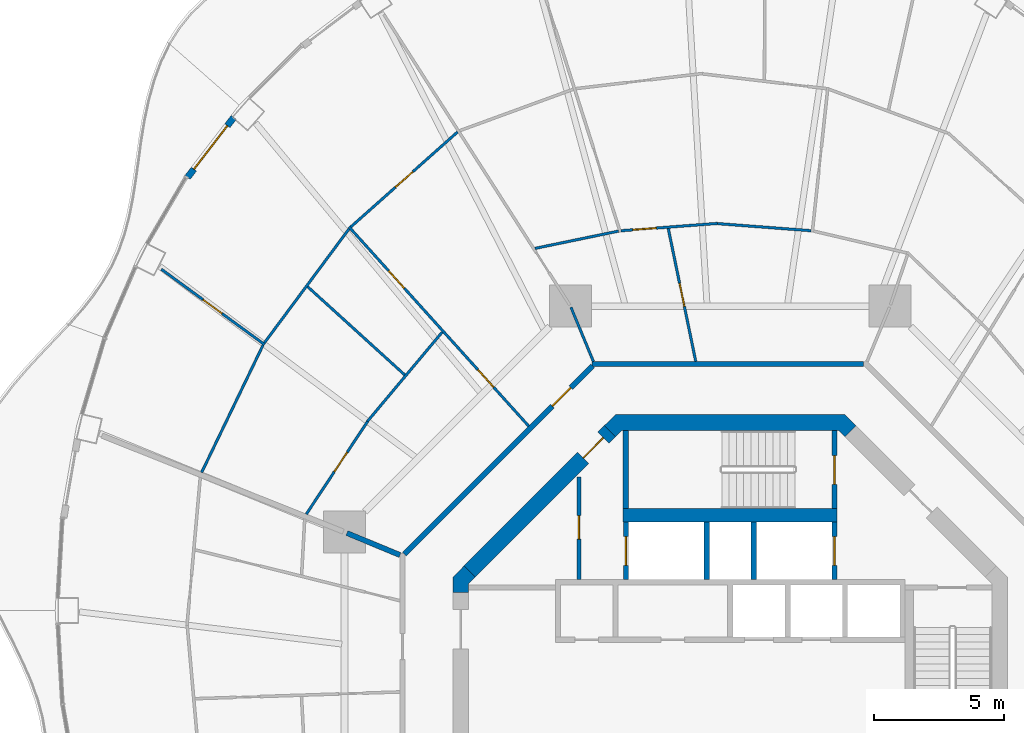
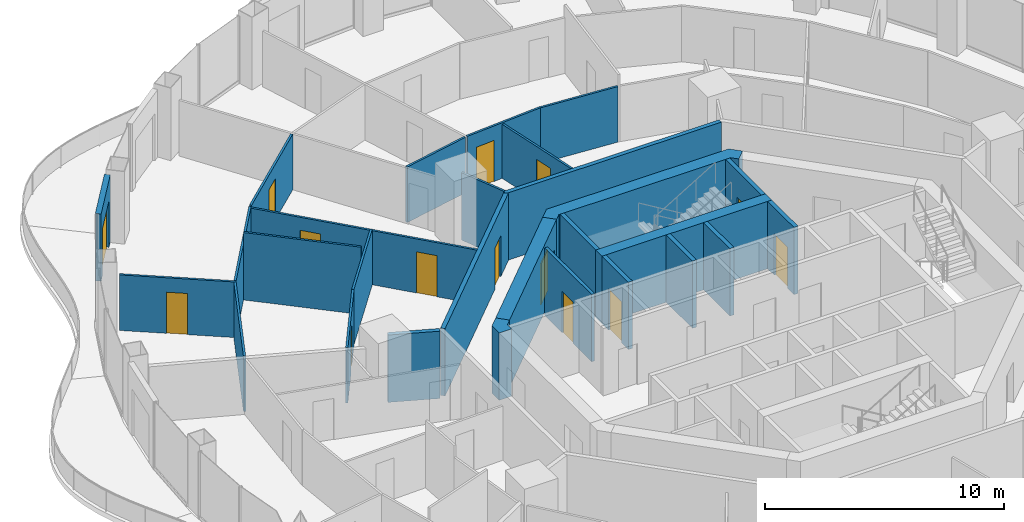
# One storey, part 13 of 18: 28 walls, 14 doors, 14 openings.
"""IFC4 building model written with IfcOpenShell, lengths in metres."""

from ifc_helpers import new_model, si_unit, direction, frame, frame_2d, origin, place, context, subcontext, project, spatial, polyline, rectangle, outline, extrude, material, layer, layer_set, type_object, element, fill, save


model = new_model("IFC4")

# Units and contexts
model_context = context("Model", 3, precision=1e-05, world=origin(), true_north=direction((0.0, 1.0)))
body_context = subcontext(model_context, "Body", "Model", "MODEL_VIEW")
ifc_project = project(units=[si_unit("LENGTHUNIT", "METRE"), si_unit("AREAUNIT", "SQUARE_METRE"), si_unit("VOLUMEUNIT", "CUBIC_METRE"), si_unit("PLANEANGLEUNIT", "RADIAN"), si_unit("MASSUNIT", "GRAM", prefix="KILO")], contexts=[model_context])

# Site, building, storey
site_placement = place(None, origin())
site = spatial("IfcSite", under=ifc_project, at=site_placement, CompositionType="ELEMENT")
building_placement = place(site_placement, origin())
building = spatial("IfcBuilding", under=site, at=building_placement, Name="Nagisa Residences", CompositionType="ELEMENT")
storey_placement = place(building_placement, frame((0.0, 0.0, 212.199951171875)))
storey = spatial("IfcBuildingStorey", under=building, at=storey_placement, Name="L53", CompositionType="ELEMENT", Elevation=212.199951171875)

# Walls
ifc_material_1 = material(Name="Gypsum board on steel studs", Category="steel")
ifc_layer_1 = layer(ifc_material_1, 0.199951171875)
ifc_layer_set_1 = layer_set([ifc_layer_1], Name="Apartment compartment wall EI60 200")
wall_type_1 = type_object("IfcWallType", Name="Apartment compartment wall EI60 200", PredefinedType="PARTITIONING", material=ifc_layer_set_1)
wall_1_placement = place(storey_placement, frame((-12.6572265625, 5.24267578125, 0.0), z_axis=(0.0, 0.0, 1.0), x_axis=(-0.923859888513, 0.38273085373, 0.0)))
element("IfcWall", 1, at=wall_1_placement, inside=storey, type_object=wall_type_1, Name="wall:L53:u02", PredefinedType="PARTITIONING", context=body_context, shape_type="SweptSolid", body=[
    extrude(rectangle(XDim=2.199462890625, YDim=0.199951171875, at=frame_2d((1.099609375, 0.0))), origin(), (0.0, 0.0, 1.0), 3.43994140625),
])
ifc_material_2 = material(Name="Gypsum board on steel studs", Category="steel")
ifc_layer_2 = layer(ifc_material_2, 0.199951171875)
ifc_layer_set_2 = layer_set([ifc_layer_2], Name="Apartment entry wall EI60 200")
wall_type_2 = type_object("IfcWallType", Name="Apartment entry wall EI60 200", PredefinedType="PARTITIONING", material=ifc_layer_set_2)
wall_2_placement = place(storey_placement, frame((5.1044921875, 12.564697265625, 0.0), z_axis=(0.0, 0.0, 1.0), x_axis=(-1.0, 0.0, 0.0)))
element("IfcWall", 2, at=wall_2_placement, inside=storey, type_object=wall_type_2, Name="wall:L53:u10", PredefinedType="PARTITIONING", context=body_context, shape_type="SweptSolid", body=[
    extrude(rectangle(XDim=10.408935546875, YDim=0.199951171875, at=frame_2d((5.20458984375, 0.0))), origin(), (0.0, 0.0, 1.0), 3.43994140625),
])

# Wall, opening, door
wall_3_placement = place(storey_placement, frame((-5.275146484375, 12.494140625, 0.0), z_axis=(0.0, 0.0, 1.0), x_axis=(-0.707106781187, -0.707106781187, 0.0)))
wall_3 = element("IfcWall", 3, at=wall_3_placement, inside=storey, type_object=wall_type_2, Name="wall:L53:u11", PredefinedType="PARTITIONING", context=body_context, shape_type="SweptSolid", body=[
    extrude(rectangle(XDim=10.209228515625, YDim=0.199951171875, at=frame_2d((5.1044921875, 0.0))), origin(), (0.0, 0.0, 1.0), 3.43994140625),
])
opening_1_placement = place(wall_3_placement, frame((1.184814453125, 0.0, 0.0)))
opening_1 = element("IfcOpeningElement", 4, at=opening_1_placement, cuts=wall_3, Name="Opening L53-U01", PredefinedType="OPENING", context=body_context, shape_type="SweptSolid", body=[
    extrude(rectangle(XDim=1.0, YDim=2.10009765625, at=frame_2d((0.5, 1.050048828125))), frame((0.0, 0.10986328125, 0.0), z_axis=(0.0, -1.0, 0.0), x_axis=(1.0, 0.0, 0.0)), (0.0, 0.0, 1.0), 0.219970703125),
])
ifc_material_3 = material(Name="Timber fire door set", Category="wood")
door_type_1 = type_object("IfcDoorType", Name="Apartment entry door FD30S 1000x2100", OperationType="NOTDEFINED", PredefinedType="DOOR", material=ifc_material_3)
door_1_placement = place(opening_1_placement, frame((1.0, 0.0, 0.0), x_axis=(-1.0, 0.0, 0.0)))
door_1 = element("IfcDoor", 5, at=door_1_placement, inside=storey, type_object=door_type_1, Name="Entry door, Apartment 53A", OperationType="SINGLE_SWING_RIGHT", OverallHeight=2.10009765625, OverallWidth=1.0, PredefinedType="DOOR", context=body_context, shape_type="SweptSolid", body=[
    extrude(rectangle(XDim=1.0, YDim=2.10009765625, at=frame_2d((0.5, 1.050048828125))), frame((0.0, 0.02490234375, 0.0), z_axis=(0.0, -1.0, 0.0), x_axis=(1.0, 0.0, 0.0)), (0.0, 0.0, 1.0), 0.050048828125),
])
fill(opening_1, door_1)

# Wall
ifc_material_4 = material(Name="Gypsum board on steel studs", Category="steel")
ifc_layer_3 = layer(ifc_material_4, 0.10009765625)
ifc_layer_set_3 = layer_set([ifc_layer_3], Name="Apartment partition 100")
wall_type_3 = type_object("IfcWallType", Name="Apartment partition 100", PredefinedType="PARTITIONING", material=ifc_layer_set_3)
wall_4_placement = place(storey_placement, frame((3.1005859375, 17.67138671875, 0.0), z_axis=(0.0, 0.0, 1.0), x_axis=(-0.997133705575, 0.075659587668, 0.0)))
element("IfcWall", 6, at=wall_4_placement, inside=storey, type_object=wall_type_3, Name="wall:L53:u35", PredefinedType="PARTITIONING", context=body_context, shape_type="SweptSolid", body=[
    extrude(rectangle(XDim=3.60107421875, YDim=0.10009765625, at=frame_2d((1.800537109375, 0.0))), origin(), (0.0, 0.0, 1.0), 2.837158203125),
])

# Wall, opening, door
wall_5_placement = place(storey_placement, frame((-0.490234375, 17.951416015625, 0.0), z_axis=(0.0, 0.0, 1.0), x_axis=(-0.997133495787, -0.075662352452, 0.0)))
wall_5 = element("IfcWall", 7, at=wall_5_placement, inside=storey, type_object=wall_type_3, Name="wall:L53:u38", PredefinedType="PARTITIONING", context=body_context, shape_type="SweptSolid", body=[
    extrude(rectangle(XDim=3.700927734375, YDim=0.10009765625, at=frame_2d((1.8505859375, 0.0))), origin(), (0.0, 0.0, 1.0), 2.837158203125),
])
opening_2_placement = place(wall_5_placement, frame((2.350830078125, 0.0, 0.0)))
opening_2 = element("IfcOpeningElement", 8, at=opening_2_placement, cuts=wall_5, Name="Opening L53-U04", PredefinedType="OPENING", context=body_context, shape_type="SweptSolid", body=[
    extrude(rectangle(XDim=0.89990234375, YDim=2.10009765625, at=frame_2d((0.449951171875, 1.050048828125))), frame((0.0, 0.06005859375, 0.0), z_axis=(0.0, -1.0, 0.0), x_axis=(1.0, 0.0, 0.0)), (0.0, 0.0, 1.0), 0.1201171875),
])
ifc_material_5 = material(Name="Timber door set", Category="wood")
door_type_2 = type_object("IfcDoorType", Name="Apartment door 900x2100", OperationType="NOTDEFINED", PredefinedType="DOOR", material=ifc_material_5)
door_2_placement = place(opening_2_placement, frame((0.89990234375, 0.0, 0.0), x_axis=(-1.0, 0.0, 0.0)))
door_2 = element("IfcDoor", 9, at=door_2_placement, inside=storey, type_object=door_type_2, Name="Door to family room, Apartment 53A", OperationType="SINGLE_SWING_LEFT", OverallHeight=2.10009765625, OverallWidth=0.89990234375, PredefinedType="DOOR", context=body_context, shape_type="SweptSolid", body=[
    extrude(rectangle(XDim=0.89990234375, YDim=2.10009765625, at=frame_2d((0.449951171875, 1.050048828125))), frame((0.0, 0.02490234375, 0.0), z_axis=(0.0, -1.0, 0.0), x_axis=(1.0, 0.0, 0.0)), (0.0, 0.0, 1.0), 0.050048828125),
])
fill(opening_2, door_2)

wall_6_placement = place(storey_placement, frame((-1.3212890625, 12.66259765625, 0.0), z_axis=(0.0, 0.0, 1.0), x_axis=(-0.202526486639, 0.979276785291, 0.0)))
wall_6 = element("IfcWall", 10, at=wall_6_placement, inside=storey, type_object=wall_type_3, Name="wall:L53:u40", PredefinedType="PARTITIONING", context=body_context, shape_type="SweptSolid", body=[
    extrude(rectangle(XDim=5.2041015625, YDim=0.10009765625, at=frame_2d((2.60205078125, 0.0))), origin(), (0.0, 0.0, 1.0), 2.761962890625),
])
opening_3_placement = place(wall_6_placement, frame((2.15185546875, 0.0, 0.0)))
opening_3 = element("IfcOpeningElement", 11, at=opening_3_placement, cuts=wall_6, Name="Opening L53-U13", PredefinedType="OPENING", context=body_context, shape_type="SweptSolid", body=[
    extrude(rectangle(XDim=0.89990234375, YDim=2.10009765625, at=frame_2d((0.449951171875, 1.050048828125))), frame((0.0, 0.06005859375, 0.0), z_axis=(0.0, -1.0, 0.0), x_axis=(1.0, 0.0, 0.0)), (0.0, 0.0, 1.0), 0.1201171875),
])
door_3_placement = place(opening_3_placement, frame((0.89990234375, 0.0, 0.0), x_axis=(-1.0, 0.0, 0.0)))
door_3 = element("IfcDoor", 12, at=door_3_placement, inside=storey, type_object=door_type_2, Name="Door to store, Apartment 53A", OperationType="SINGLE_SWING_RIGHT", OverallHeight=2.10009765625, OverallWidth=0.89990234375, PredefinedType="DOOR", context=body_context, shape_type="SweptSolid", body=[
    extrude(rectangle(XDim=0.89990234375, YDim=2.10009765625, at=frame_2d((0.449951171875, 1.050048828125))), frame((0.0, 0.02490234375, 0.0), z_axis=(0.0, -1.0, 0.0), x_axis=(1.0, 0.0, 0.0)), (0.0, 0.0, 1.0), 0.050048828125),
])
fill(opening_3, door_3)

# Walls
wall_7_placement = place(storey_placement, frame((-4.279541015625, 17.657470703125, 0.0), z_axis=(0.0, 0.0, 1.0), x_axis=(-0.979205232861, -0.202872156637, 0.0)))
element("IfcWall", 13, at=wall_7_placement, inside=storey, type_object=wall_type_3, Name="wall:L53:u42", PredefinedType="PARTITIONING", context=body_context, shape_type="SweptSolid", body=[
    extrude(rectangle(XDim=3.27099609375, YDim=0.10009765625, at=frame_2d((1.635498046875, 0.0))), origin(), (0.0, 0.0, 1.0), 2.837158203125),
])
wall_8_placement = place(storey_placement, frame((-5.24267578125, 12.6572265625, 0.0), z_axis=(0.0, 0.0, 1.0), x_axis=(-0.382757529444, 0.923848837015, 0.0)))
element("IfcWall", 14, at=wall_8_placement, inside=storey, type_object=wall_type_3, Name="wall:L53:u44", PredefinedType="PARTITIONING", context=body_context, shape_type="SweptSolid", body=[
    extrude(rectangle(XDim=2.249755859375, YDim=0.10009765625, at=frame_2d((1.125, 0.0))), origin(), (0.0, 0.0, 1.0), 3.43994140625),
])

# Wall, opening, door
wall_9_placement = place(storey_placement, frame((-10.450439453125, 21.455322265625, 0.0), z_axis=(0.0, 0.0, 1.0), x_axis=(-0.747150931973, -0.66465441009, 0.0)))
wall_9 = element("IfcWall", 15, at=wall_9_placement, inside=storey, type_object=wall_type_3, Name="wall:L53:u46", PredefinedType="PARTITIONING", context=body_context, shape_type="SweptSolid", body=[
    extrude(rectangle(XDim=5.474853515625, YDim=0.10009765625, at=frame_2d((2.7373046875, 0.0))), origin(), (0.0, 0.0, 1.0), 2.837158203125),
])
opening_4_placement = place(wall_9_placement, frame((2.28759765625, 0.0, 0.0)))
opening_4 = element("IfcOpeningElement", 16, at=opening_4_placement, cuts=wall_9, Name="Opening L53-U11", PredefinedType="OPENING", context=body_context, shape_type="SweptSolid", body=[
    extrude(rectangle(XDim=0.89990234375, YDim=2.10009765625, at=frame_2d((0.449951171875, 1.050048828125))), frame((0.0, 0.06005859375, 0.0), z_axis=(0.0, -1.0, 0.0), x_axis=(1.0, 0.0, 0.0)), (0.0, 0.0, 1.0), 0.1201171875),
])
door_4_placement = place(opening_4_placement, frame((0.89990234375, 0.0, 0.0), x_axis=(-1.0, 0.0, 0.0)))
door_4 = element("IfcDoor", 17, at=door_4_placement, inside=storey, type_object=door_type_2, Name="Door to living room, Apartment 53A", OperationType="SINGLE_SWING_RIGHT", OverallHeight=2.10009765625, OverallWidth=0.89990234375, PredefinedType="DOOR", context=body_context, shape_type="SweptSolid", body=[
    extrude(rectangle(XDim=0.89990234375, YDim=2.10009765625, at=frame_2d((0.449951171875, 1.050048828125))), frame((0.0, 0.02490234375, 0.0), z_axis=(0.0, -1.0, 0.0), x_axis=(1.0, 0.0, 0.0)), (0.0, 0.0, 1.0), 0.050048828125),
])
fill(opening_4, door_4)

# Wall, openings, doors
wall_10_placement = place(storey_placement, frame((-7.724853515625, 10.185546875, 0.0), z_axis=(0.0, 0.0, 1.0), x_axis=(-0.669819599194, 0.742523874725, 0.0)))
wall_10 = element("IfcWall", 18, at=wall_10_placement, inside=storey, type_object=wall_type_3, Name="wall:L53:u47", PredefinedType="PARTITIONING", context=body_context, shape_type="SweptSolid", body=[
    extrude(rectangle(XDim=10.2822265625, YDim=0.10009765625, at=frame_2d((5.14111328125, 0.0))), origin(), (0.0, 0.0, 1.0), 2.761962890625),
])
opening_5_placement = place(wall_10_placement, frame((1.999755859375, 0.0, 0.0)))
opening_5 = element("IfcOpeningElement", 19, at=opening_5_placement, cuts=wall_10, Name="Opening L53-U03", PredefinedType="OPENING", context=body_context, shape_type="SweptSolid", body=[
    extrude(rectangle(XDim=0.89990234375, YDim=2.10009765625, at=frame_2d((0.449951171875, 1.050048828125))), frame((0.0, 0.06005859375, 0.0), z_axis=(0.0, -1.0, 0.0), x_axis=(1.0, 0.0, 0.0)), (0.0, 0.0, 1.0), 0.1201171875),
])
opening_6_placement = place(wall_10_placement, frame((7.11572265625, 0.0, 0.0)))
opening_6 = element("IfcOpeningElement", 20, at=opening_6_placement, cuts=wall_10, Name="Opening L53-U06", PredefinedType="OPENING", context=body_context, shape_type="SweptSolid", body=[
    extrude(rectangle(XDim=0.89990234375, YDim=2.10009765625, at=frame_2d((0.449951171875, 1.050048828125))), frame((0.0, 0.06005859375, 0.0), z_axis=(0.0, -1.0, 0.0), x_axis=(1.0, 0.0, 0.0)), (0.0, 0.0, 1.0), 0.1201171875),
])
door_5_placement = place(opening_5_placement, origin())
door_5 = element("IfcDoor", 21, at=door_5_placement, inside=storey, type_object=door_type_2, Name="Door to store, Apartment 53A", OperationType="SINGLE_SWING_LEFT", OverallHeight=2.10009765625, OverallWidth=0.89990234375, PredefinedType="DOOR", context=body_context, shape_type="SweptSolid", body=[
    extrude(rectangle(XDim=0.89990234375, YDim=2.10009765625, at=frame_2d((0.449951171875, 1.050048828125))), frame((0.0, 0.02490234375, 0.0), z_axis=(0.0, -1.0, 0.0), x_axis=(1.0, 0.0, 0.0)), (0.0, 0.0, 1.0), 0.050048828125),
])
fill(opening_5, door_5)
door_6_placement = place(opening_6_placement, origin())
door_6 = element("IfcDoor", 22, at=door_6_placement, inside=storey, type_object=door_type_2, Name="Door to family bathroom, Apartment 53A", OperationType="SINGLE_SWING_RIGHT", OverallHeight=2.10009765625, OverallWidth=0.89990234375, PredefinedType="DOOR", context=body_context, shape_type="SweptSolid", body=[
    extrude(rectangle(XDim=0.89990234375, YDim=2.10009765625, at=frame_2d((0.449951171875, 1.050048828125))), frame((0.0, 0.02490234375, 0.0), z_axis=(0.0, -1.0, 0.0), x_axis=(1.0, 0.0, 0.0)), (0.0, 0.0, 1.0), 0.050048828125),
])
fill(opening_6, door_6)

# Walls
wall_11_placement = place(storey_placement, frame((-11.03857421875, 13.78515625, 0.0), z_axis=(0.0, 0.0, 1.0), x_axis=(-0.642254625966, -0.766491353784, 0.0)))
element("IfcWall", 23, at=wall_11_placement, inside=storey, type_object=wall_type_3, Name="wall:L53:u48", PredefinedType="PARTITIONING", context=body_context, shape_type="SweptSolid", body=[
    extrude(rectangle(XDim=4.4609375, YDim=0.10009765625, at=frame_2d((2.23046875, 0.0))), origin(), (0.0, 0.0, 1.0), 2.837158203125),
])
wall_12_placement = place(storey_placement, frame((-14.608154296875, 17.7431640625, 0.0), z_axis=(0.0, 0.0, 1.0), x_axis=(-0.596174489482, -0.8028548923, 0.0)))
element("IfcWall", 24, at=wall_12_placement, inside=storey, type_object=wall_type_3, Name="wall:L53:u49", PredefinedType="PARTITIONING", context=body_context, shape_type="SweptSolid", body=[
    extrude(rectangle(XDim=5.44189453125, YDim=0.10009765625, at=frame_2d((2.720947265625, 0.0))), origin(), (0.0, 0.0, 1.0), 2.837158203125),
])
wall_13_placement = place(storey_placement, frame((-12.47607421875, 12.1474609375, 0.0), z_axis=(0.0, 0.0, 1.0), x_axis=(-0.740129203525, 0.672464692077, 0.0)))
element("IfcWall", 25, at=wall_13_placement, inside=storey, type_object=wall_type_3, Name="wall:L53:u50", PredefinedType="PARTITIONING", context=body_context, shape_type="SweptSolid", body=[
    extrude(rectangle(XDim=5.0224609375, YDim=0.10009765625, at=frame_2d((2.51123046875, 0.0))), origin(), (0.0, 0.0, 1.0), 3.43994140625),
])

# Wall, opening, door
wall_14_placement = place(storey_placement, frame((-13.899169921875, 10.362548828125, 0.0), z_axis=(0.0, 0.0, 1.0), x_axis=(-0.551267958114, -0.834328255758, 0.0)))
wall_14 = element("IfcWall", 26, at=wall_14_placement, inside=storey, type_object=wall_type_3, Name="wall:L53:u51", PredefinedType="PARTITIONING", context=body_context, shape_type="SweptSolid", body=[
    extrude(rectangle(XDim=4.25732421875, YDim=0.10009765625, at=frame_2d((2.128662109375, 0.0))), origin(), (0.0, 0.0, 1.0), 2.837158203125),
])
opening_7_placement = place(wall_14_placement, frame((1.4130859375, 0.0, 0.0)))
opening_7 = element("IfcOpeningElement", 27, at=opening_7_placement, cuts=wall_14, Name="Opening L53-U07", PredefinedType="OPENING", context=body_context, shape_type="SweptSolid", body=[
    extrude(rectangle(XDim=0.89990234375, YDim=2.10009765625, at=frame_2d((0.449951171875, 1.050048828125))), frame((0.0, 0.06005859375, 0.0), z_axis=(0.0, -1.0, 0.0), x_axis=(1.0, 0.0, 0.0)), (0.0, 0.0, 1.0), 0.1201171875),
])
door_7_placement = place(opening_7_placement, frame((0.89990234375, 0.0, 0.0), x_axis=(-1.0, 0.0, 0.0)))
door_7 = element("IfcDoor", 28, at=door_7_placement, inside=storey, type_object=door_type_2, Name="Door to dining room, Apartment 53A", OperationType="SINGLE_SWING_RIGHT", OverallHeight=2.10009765625, OverallWidth=0.89990234375, PredefinedType="DOOR", context=body_context, shape_type="SweptSolid", body=[
    extrude(rectangle(XDim=0.89990234375, YDim=2.10009765625, at=frame_2d((0.449951171875, 1.050048828125))), frame((0.0, 0.02490234375, 0.0), z_axis=(0.0, -1.0, 0.0), x_axis=(1.0, 0.0, 0.0)), (0.0, 0.0, 1.0), 0.050048828125),
])
fill(opening_7, door_7)

wall_15_placement = place(storey_placement, frame((-17.842041015625, 13.304443359375, 0.0), z_axis=(0.0, 0.0, 1.0), x_axis=(-0.807541617862, 0.589810592835, 0.0)))
wall_15 = element("IfcWall", 29, at=wall_15_placement, inside=storey, type_object=wall_type_3, Name="wall:L53:u52", PredefinedType="PARTITIONING", context=body_context, shape_type="SweptSolid", body=[
    extrude(rectangle(XDim=4.9033203125, YDim=0.10009765625, at=frame_2d((2.45166015625, 0.0))), origin(), (0.0, 0.0, 1.0), 2.837158203125),
])
opening_8_placement = place(wall_15_placement, frame((2.02685546875, 0.0, 0.0)))
opening_8 = element("IfcOpeningElement", 30, at=opening_8_placement, cuts=wall_15, Name="Opening L53-U12", PredefinedType="OPENING", context=body_context, shape_type="SweptSolid", body=[
    extrude(rectangle(XDim=0.89990234375, YDim=2.10009765625, at=frame_2d((0.449951171875, 1.050048828125))), frame((0.0, 0.06005859375, 0.0), z_axis=(0.0, -1.0, 0.0), x_axis=(1.0, 0.0, 0.0)), (0.0, 0.0, 1.0), 0.1201171875),
])
door_8_placement = place(opening_8_placement, origin())
door_8 = element("IfcDoor", 31, at=door_8_placement, inside=storey, type_object=door_type_2, Name="Door to bedroom, Apartment 53A", OperationType="SINGLE_SWING_RIGHT", OverallHeight=2.10009765625, OverallWidth=0.89990234375, PredefinedType="DOOR", context=body_context, shape_type="SweptSolid", body=[
    extrude(rectangle(XDim=0.89990234375, YDim=2.10009765625, at=frame_2d((0.449951171875, 1.050048828125))), frame((0.0, 0.02490234375, 0.0), z_axis=(0.0, -1.0, 0.0), x_axis=(1.0, 0.0, 0.0)), (0.0, 0.0, 1.0), 0.050048828125),
])
fill(opening_8, door_8)

# Wall
wall_16_placement = place(storey_placement, frame((-17.904052734375, 13.288818359375, 0.0), z_axis=(0.0, 0.0, 1.0), x_axis=(-0.43429918566, -0.900768681369, 0.0)))
element("IfcWall", 32, at=wall_16_placement, inside=storey, type_object=wall_type_3, Name="wall:L53:u53", PredefinedType="PARTITIONING", context=body_context, shape_type="SweptSolid", body=[
    extrude(rectangle(XDim=5.41845703125, YDim=0.10009765625, at=frame_2d((2.709228515625, 0.0))), origin(), (0.0, 0.0, 1.0), 2.837158203125),
])

# Wall, opening, door
ifc_material_6 = material(Name="Precast concrete C40/50", Category="concrete")
ifc_layer_4 = layer(ifc_material_6, 0.25)
ifc_layer_set_4 = layer_set([ifc_layer_4], Name="BALCONY DOOR WALL 250")
wall_type_4 = type_object("IfcWallType", Name="BALCONY DOOR WALL 250", PredefinedType="SOLIDWALL", material=ifc_layer_set_4)
wall_17_placement = place(storey_placement, frame((-20.797119140625, 19.71533203125, 0.0), z_axis=(0.0, 0.0, 1.0), x_axis=(0.610438565676, 0.792063607001, 0.0)))
wall_17 = element("IfcWall", 33, at=wall_17_placement, inside=storey, type_object=wall_type_4, Name="wall:L53:bay18", PredefinedType="SOLIDWALL", context=body_context, shape_type="SweptSolid", body=[
    extrude(rectangle(XDim=2.90087890625, YDim=0.25, at=frame_2d((1.450439453125, 0.0))), origin(), (0.0, 0.0, 1.0), 3.43994140625),
])
opening_9_placement = place(wall_17_placement, frame((0.400390625, 0.0, 0.0)))
opening_9 = element("IfcOpeningElement", 34, at=opening_9_placement, cuts=wall_17, Name="Opening BD-L53-07", PredefinedType="OPENING", context=body_context, shape_type="SweptSolid", body=[
    extrude(rectangle(XDim=2.10009765625, YDim=2.39990234375, at=frame_2d((1.050048828125, 1.199951171875))), frame((0.0, 0.135009765625, 0.0), z_axis=(0.0, -1.0, 0.0), x_axis=(1.0, 0.0, 0.0)), (0.0, 0.0, 1.0), 0.27001953125),
])
ifc_material_7 = material(Name="Aluminium and clear glass", Category="aluminium")
door_type_3 = type_object("IfcDoorType", Name="BALCONY SLIDING DOOR 2100x2400", OperationType="SLIDING_TO_LEFT", PredefinedType="DOOR", material=ifc_material_7)
door_9_placement = place(opening_9_placement, origin())
door_9 = element("IfcDoor", 35, at=door_9_placement, inside=storey, type_object=door_type_3, Name="door:L53:bay18", OperationType="SLIDING_TO_LEFT", OverallHeight=2.39990234375, OverallWidth=2.10009765625, PredefinedType="DOOR", context=body_context, shape_type="SweptSolid", body=[
    extrude(rectangle(XDim=2.10009765625, YDim=2.39990234375, at=frame_2d((1.050048828125, 1.199951171875))), frame((0.0, 0.02490234375, 0.0), z_axis=(0.0, -1.0, 0.0), x_axis=(1.0, 0.0, 0.0)), (0.0, 0.0, 1.0), 0.050048828125),
])
fill(opening_9, door_9)

ifc_material_8 = material(Name="Gypsum board on steel studs", Category="steel")
ifc_layer_5 = layer(ifc_material_8, 0.14990234375)
ifc_layer_set_5 = layer_set([ifc_layer_5], Name="Core partition 150")
wall_type_5 = type_object("IfcWallType", Name="Core partition 150", PredefinedType="PARTITIONING", material=ifc_layer_set_5)
wall_18_placement = place(storey_placement, frame((-5.800048828125, 4.300048828125, 0.0), z_axis=(0.0, 0.0, 1.0), x_axis=(0.0, 1.0, 0.0)))
wall_18 = element("IfcWall", 36, at=wall_18_placement, inside=storey, type_object=wall_type_5, Name="wall:L53:NWp", PredefinedType="PARTITIONING", context=body_context, shape_type="SweptSolid", body=[
    extrude(rectangle(XDim=3.927001953125, YDim=0.14990234375, at=frame_2d((1.96337890625, 0.0))), origin(), (0.0, 0.0, 1.0), 3.43994140625),
])
opening_10_placement = place(wall_18_placement, frame((1.551025390625, 0.0, 0.0)))
opening_10 = element("IfcOpeningElement", 37, at=opening_10_placement, cuts=wall_18, Name="Opening L53-C11", PredefinedType="OPENING", context=body_context, shape_type="SweptSolid", body=[
    extrude(rectangle(XDim=0.89990234375, YDim=2.10009765625, at=frame_2d((0.449951171875, 1.050048828125))), frame((0.0, 0.0849609375, 0.0), z_axis=(0.0, -1.0, 0.0), x_axis=(1.0, 0.0, 0.0)), (0.0, 0.0, 1.0), 0.169921875),
])
ifc_material_9 = material(Name="Steel fire door", Category="steel")
door_type_4 = type_object("IfcDoorType", Name="Fire door EI30 900x2100 single swing", OperationType="NOTDEFINED", PredefinedType="DOOR", material=ifc_material_9)
door_10_placement = place(opening_10_placement, origin())
door_10 = element("IfcDoor", 38, at=door_10_placement, inside=storey, type_object=door_type_4, Name="Hose reel room door L53", OperationType="SINGLE_SWING_LEFT", OverallHeight=2.10009765625, OverallWidth=0.89990234375, PredefinedType="DOOR", context=body_context, shape_type="SweptSolid", body=[
    extrude(rectangle(XDim=0.89990234375, YDim=2.10009765625, at=frame_2d((0.449951171875, 1.050048828125))), frame((0.0, 0.02490234375, 0.0), z_axis=(0.0, -1.0, 0.0), x_axis=(1.0, 0.0, 0.0)), (0.0, 0.0, 1.0), 0.050048828125),
])
fill(opening_10, door_10)

ifc_material_10 = material(Name="Concrete C60", Category="concrete")
ifc_layer_6 = layer(ifc_material_10, 0.60009765625)
ifc_layer_set_6 = layer_set([ifc_layer_6], Name="Core shear wall 600")
wall_type_6 = type_object("IfcWallType", Name="Core shear wall 600", PredefinedType="SHEAR", material=ifc_layer_set_6)
wall_19_placement = place(storey_placement, frame((-4.613037109375, 9.98828125, 0.0), z_axis=(0.0, 0.0, 1.0), x_axis=(-0.707106781187, -0.707106781187, 0.0)))
wall_19 = element("IfcWall", 39, at=wall_19_placement, inside=storey, type_object=wall_type_6, Name="wall:L53:core:flat3", PredefinedType="SHEAR", context=body_context, shape_type="SweptSolid", body=[
    extrude(rectangle(XDim=7.601806640625, YDim=0.60009765625, at=frame_2d((3.80078125, 0.0))), origin(), (0.0, 0.0, 1.0), 3.43994140625),
])
opening_11_placement = place(wall_19_placement, frame((0.350830078125, 0.0, 0.0)))
opening_11 = element("IfcOpeningElement", 40, at=opening_11_placement, cuts=wall_19, Name="Opening L53-C22", PredefinedType="OPENING", context=body_context, shape_type="SweptSolid", body=[
    extrude(rectangle(XDim=1.10009765625, YDim=2.10009765625, at=frame_2d((0.550048828125, 1.050048828125))), frame((0.0, 0.31005859375, 0.0), z_axis=(0.0, -1.0, 0.0), x_axis=(1.0, 0.0, 0.0)), (0.0, 0.0, 1.0), 0.6201171875),
])
ifc_material_11 = material(Name="Steel fire door", Category="steel")
door_type_5 = type_object("IfcDoorType", Name="Fire door EI60 1100x2100 single swing", OperationType="NOTDEFINED", PredefinedType="DOOR", material=ifc_material_11)
door_11_placement = place(opening_11_placement, origin())
door_11 = element("IfcDoor", 41, at=door_11_placement, inside=storey, type_object=door_type_5, Name="Service lobby door L53", OperationType="SINGLE_SWING_LEFT", OverallHeight=2.10009765625, OverallWidth=1.10009765625, PredefinedType="DOOR", context=body_context, shape_type="SweptSolid", body=[
    extrude(rectangle(XDim=1.10009765625, YDim=2.10009765625, at=frame_2d((0.550048828125, 1.050048828125))), frame((0.0, 0.02490234375, 0.0), z_axis=(0.0, -1.0, 0.0), x_axis=(1.0, 0.0, 0.0)), (0.0, 0.0, 1.0), 0.050048828125),
])
fill(opening_11, door_11)

# Walls
wall_20_placement = place(storey_placement, origin())
element("IfcWall", 42, at=wall_20_placement, inside=storey, type_object=wall_type_6, Name="wall:L53:core:pier3", PredefinedType="SHEAR", context=body_context, shape_type="SweptSolid", body=[
    extrude(outline(polyline([(-10.200439453125, 4.8251953125), (-9.776123046875, 4.40087890625), (-10.024658203125, 4.15234375), (-10.024658203125, 3.80078125), (-10.62451171875, 3.80078125), (-10.62451171875, 4.40087890625), (-10.200439453125, 4.8251953125)])), origin(), (0.0, 0.0, 1.0), 3.43994140625),
])
wall_21_placement = place(storey_placement, origin())
element("IfcWall", 43, at=wall_21_placement, inside=storey, type_object=wall_type_6, Name="wall:L53:core:flat2", PredefinedType="SHEAR", context=body_context, shape_type="SweptSolid", body=[
    extrude(outline(polyline([(-4.15234375, 10.024658203125), (-4.40087890625, 9.776123046875), (-4.8251953125, 10.200439453125), (-4.40087890625, 10.62451171875), (4.40087890625, 10.62451171875), (4.8251953125, 10.200439453125), (4.40087890625, 9.776123046875), (4.15234375, 10.024658203125), (-4.15234375, 10.024658203125)])), origin(), (0.0, 0.0, 1.0), 3.43994140625),
])

# Wall, opening, door
ifc_material_12 = material(Name="Concrete C60", Category="concrete")
ifc_layer_7 = layer(ifc_material_12, 0.199951171875)
ifc_layer_set_7 = layer_set([ifc_layer_7], Name="Lift shaft wall 200")
wall_type_7 = type_object("IfcWallType", Name="Lift shaft wall 200", PredefinedType="SOLIDWALL", material=ifc_layer_set_7)
wall_22_placement = place(storey_placement, frame((4.0, 4.300048828125, 0.0), z_axis=(0.0, 0.0, 1.0), x_axis=(0.0, 1.0, 0.0)))
wall_22 = element("IfcWall", 44, at=wall_22_placement, inside=storey, type_object=wall_type_7, Name="wall:L53:Nb3", PredefinedType="SOLIDWALL", context=body_context, shape_type="SweptSolid", body=[
    extrude(rectangle(XDim=2.199951171875, YDim=0.199951171875, at=frame_2d((1.10009765625, 0.0))), origin(), (0.0, 0.0, 1.0), 3.43994140625),
])
opening_12_placement = place(wall_22_placement, frame((0.550048828125, 0.0, 0.0)))
opening_12 = element("IfcOpeningElement", 45, at=opening_12_placement, cuts=wall_22, Name="Opening L53-C05", PredefinedType="OPENING", context=body_context, shape_type="SweptSolid", body=[
    extrude(rectangle(XDim=1.10009765625, YDim=2.10009765625, at=frame_2d((0.550048828125, 1.050048828125))), frame((0.0, 0.10986328125, 0.0), z_axis=(0.0, -1.0, 0.0), x_axis=(1.0, 0.0, 0.0)), (0.0, 0.0, 1.0), 0.219970703125),
])
ifc_material_13 = material(Name="Stainless steel", Category="steel")
door_type_6 = type_object("IfcDoorType", Name="Lift landing door 1100x2100", OperationType="DOUBLE_DOOR_SLIDING", PredefinedType="DOOR", material=ifc_material_13)
door_12_placement = place(opening_12_placement, origin())
door_12 = element("IfcDoor", 46, at=door_12_placement, inside=storey, type_object=door_type_6, Name="Landing door FL1 L53", OperationType="DOUBLE_DOOR_SLIDING", OverallHeight=2.10009765625, OverallWidth=1.10009765625, PredefinedType="DOOR", context=body_context, shape_type="SweptSolid", body=[
    extrude(rectangle(XDim=1.10009765625, YDim=2.10009765625, at=frame_2d((0.550048828125, 1.050048828125))), frame((0.0, 0.02490234375, 0.0), z_axis=(0.0, -1.0, 0.0), x_axis=(1.0, 0.0, 0.0)), (0.0, 0.0, 1.0), 0.050048828125),
])
fill(opening_12, door_12)

wall_23_placement = place(storey_placement, frame((-4.0, 4.300048828125, 0.0), z_axis=(0.0, 0.0, 1.0), x_axis=(0.0, 1.0, 0.0)))
wall_23 = element("IfcWall", 47, at=wall_23_placement, inside=storey, type_object=wall_type_7, Name="wall:L53:Nb4", PredefinedType="SOLIDWALL", context=body_context, shape_type="SweptSolid", body=[
    extrude(rectangle(XDim=2.199951171875, YDim=0.199951171875, at=frame_2d((1.10009765625, 0.0))), origin(), (0.0, 0.0, 1.0), 3.43994140625),
])
opening_13_placement = place(wall_23_placement, frame((0.550048828125, 0.0, 0.0)))
opening_13 = element("IfcOpeningElement", 48, at=opening_13_placement, cuts=wall_23, Name="Opening L53-C07", PredefinedType="OPENING", context=body_context, shape_type="SweptSolid", body=[
    extrude(rectangle(XDim=1.10009765625, YDim=2.10009765625, at=frame_2d((0.550048828125, 1.050048828125))), frame((0.0, 0.10986328125, 0.0), z_axis=(0.0, -1.0, 0.0), x_axis=(1.0, 0.0, 0.0)), (0.0, 0.0, 1.0), 0.219970703125),
])
door_13_placement = place(opening_13_placement, origin())
door_13 = element("IfcDoor", 49, at=door_13_placement, inside=storey, type_object=door_type_6, Name="Landing door SV L53", OperationType="DOUBLE_DOOR_SLIDING", OverallHeight=2.10009765625, OverallWidth=1.10009765625, PredefinedType="DOOR", context=body_context, shape_type="SweptSolid", body=[
    extrude(rectangle(XDim=1.10009765625, YDim=2.10009765625, at=frame_2d((0.550048828125, 1.050048828125))), frame((0.0, 0.02490234375, 0.0), z_axis=(0.0, -1.0, 0.0), x_axis=(1.0, 0.0, 0.0)), (0.0, 0.0, 1.0), 0.050048828125),
])
fill(opening_13, door_13)

# Walls
for number, where, z_axis, x_axis, name in (
    (50, (-0.89990234375, 4.300048828125, 0.0), (0.0, 0.0, 1.0), (0.0, 1.0, 0.0), "wall:L53:Nb1"),
    (51, (0.89990234375, 4.300048828125, 0.0), (0.0, 0.0, 1.0), (0.0, 1.0, 0.0), "wall:L53:Nb2"),
):
    element("IfcWall", number, at=place(storey_placement, frame(where, z_axis=z_axis, x_axis=x_axis)), inside=storey, type_object=wall_type_7, Name=name, PredefinedType="SOLIDWALL", context=body_context, shape_type="SweptSolid", body=[
        extrude(rectangle(XDim=2.199951171875, YDim=0.199951171875, at=frame_2d((1.10009765625, 0.0))), origin(), (0.0, 0.0, 1.0), 3.43994140625),
    ])

# Wall, opening, door
ifc_material_14 = material(Name="Concrete C60", Category="concrete")
ifc_layer_8 = layer(ifc_material_14, 0.199951171875)
ifc_layer_set_8 = layer_set([ifc_layer_8], Name="Stair enclosure wall 200")
wall_type_8 = type_object("IfcWallType", Name="Stair enclosure wall 200", PredefinedType="SOLIDWALL", material=ifc_layer_set_8)
wall_24_placement = place(storey_placement, frame((4.0, 7.024658203125, 0.0), z_axis=(0.0, 0.0, 1.0), x_axis=(0.0, 1.0, 0.0)))
wall_24 = element("IfcWall", 52, at=wall_24_placement, inside=storey, type_object=wall_type_8, Name="wall:L53:SN_e", PredefinedType="SOLIDWALL", context=body_context, shape_type="SweptSolid", body=[
    extrude(rectangle(XDim=3.0, YDim=0.199951171875, at=frame_2d((1.5, 0.0))), origin(), (0.0, 0.0, 1.0), 3.43994140625),
])
opening_14_placement = place(wall_24_placement, frame((0.92529296875, 0.0, 0.0)))
opening_14 = element("IfcOpeningElement", 53, at=opening_14_placement, cuts=wall_24, Name="Opening L53-C09", PredefinedType="OPENING", context=body_context, shape_type="SweptSolid", body=[
    extrude(rectangle(XDim=1.10009765625, YDim=2.10009765625, at=frame_2d((0.550048828125, 1.050048828125))), frame((0.0, 0.10986328125, 0.0), z_axis=(0.0, -1.0, 0.0), x_axis=(1.0, 0.0, 0.0)), (0.0, 0.0, 1.0), 0.219970703125),
])
ifc_material_15 = material(Name="Steel fire door", Category="steel")
door_type_7 = type_object("IfcDoorType", Name="Fire door EI90 1100x2100 single swing", OperationType="NOTDEFINED", PredefinedType="DOOR", material=ifc_material_15)
door_14_placement = place(opening_14_placement, origin())
door_14 = element("IfcDoor", 54, at=door_14_placement, inside=storey, type_object=door_type_7, Name="Stair door ST-N L53", OperationType="SINGLE_SWING_RIGHT", OverallHeight=2.10009765625, OverallWidth=1.10009765625, PredefinedType="DOOR", context=body_context, shape_type="SweptSolid", body=[
    extrude(rectangle(XDim=1.10009765625, YDim=2.10009765625, at=frame_2d((0.550048828125, 1.050048828125))), frame((0.0, 0.02490234375, 0.0), z_axis=(0.0, -1.0, 0.0), x_axis=(1.0, 0.0, 0.0)), (0.0, 0.0, 1.0), 0.050048828125),
])
fill(opening_14, door_14)

# Walls
wall_25_placement = place(storey_placement, origin())
element("IfcWall", 55, at=wall_25_placement, inside=storey, type_object=wall_type_8, Name="wall:L53:SN_w", PredefinedType="SOLIDWALL", context=body_context, shape_type="SweptSolid", body=[
    extrude(outline(polyline([(-3.89990234375, 7.024658203125), (-4.10009765625, 7.024658203125), (-4.10009765625, 10.024658203125), (-3.89990234375, 10.024658203125), (-3.89990234375, 7.024658203125)])), origin(), (0.0, 0.0, 1.0), 3.43994140625),
])
wall_26_placement = place(storey_placement, origin())
element("IfcWall", 56, at=wall_26_placement, inside=storey, type_object=wall_type_8, Name="wall:L53:SN_s", PredefinedType="SOLIDWALL", context=body_context, shape_type="SweptSolid", body=[
    extrude(outline(polyline([(4.10009765625, 6.5), (-4.10009765625, 6.5), (-4.10009765625, 7.024658203125), (4.10009765625, 7.024658203125), (4.10009765625, 6.5)])), origin(), (0.0, 0.0, 1.0), 3.43994140625),
])

save(model, "model.ifc")
